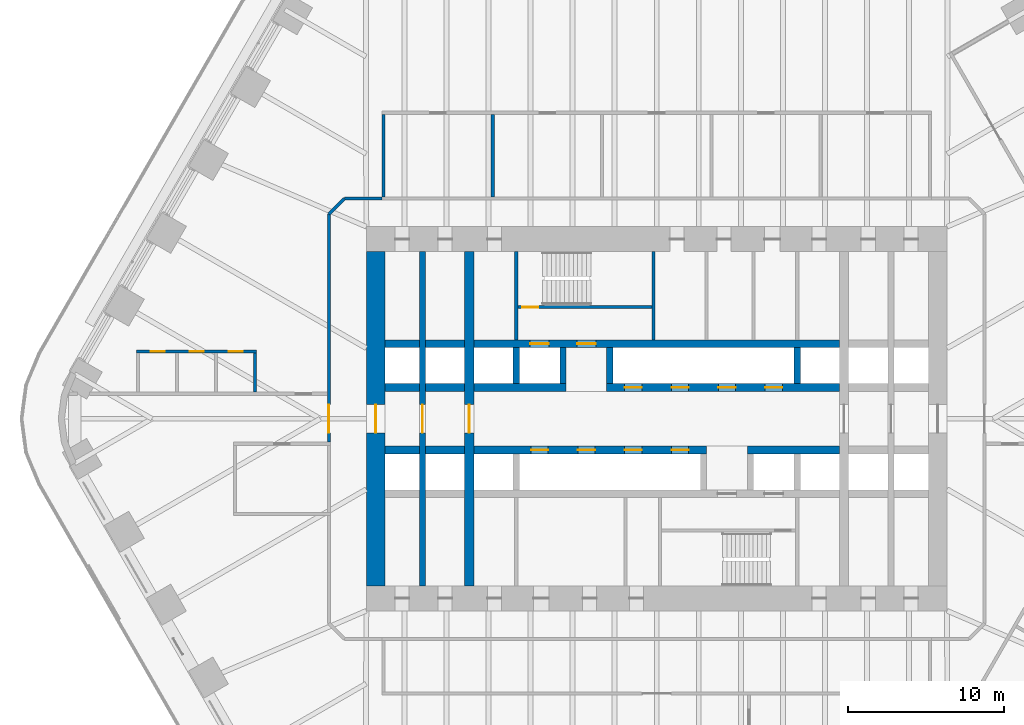
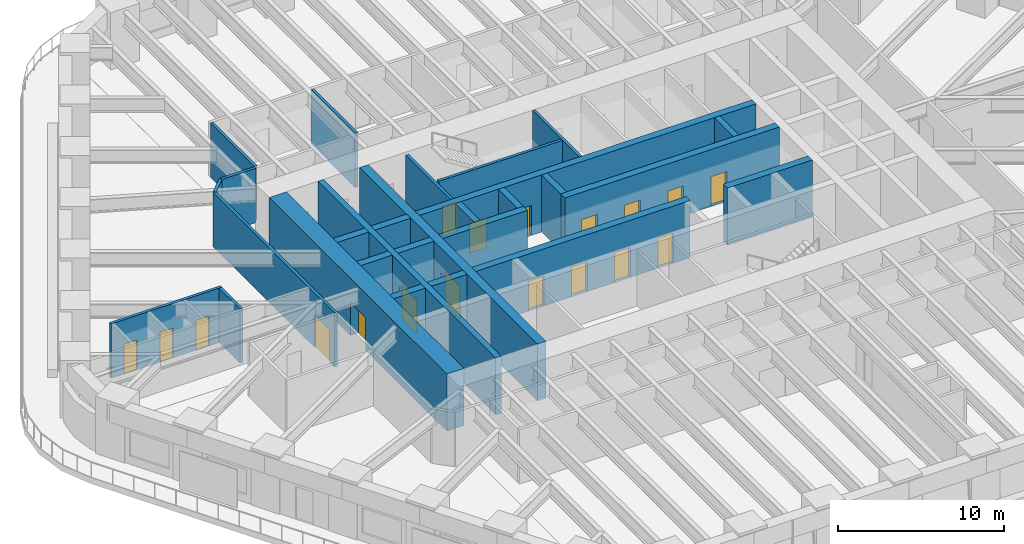
# One storey, part 18 of 23: 28 walls, 18 doors, 18 openings.
"""IFC4 building model written with IfcOpenShell, lengths in metres."""

from ifc_helpers import new_model, si_unit, direction, frame, frame_2d, origin, place, context, subcontext, project, spatial, rectangle, extrude, material, layer, layer_set, type_object, element, fill, save


model = new_model("IFC4")

# Units and contexts
model_context = context("Model", 3, precision=1e-05, world=origin(), true_north=direction((0.0, 1.0)))
body_context = subcontext(model_context, "Body", "Model", "MODEL_VIEW")
ifc_project = project(units=[si_unit("LENGTHUNIT", "METRE"), si_unit("AREAUNIT", "SQUARE_METRE"), si_unit("VOLUMEUNIT", "CUBIC_METRE"), si_unit("PLANEANGLEUNIT", "RADIAN"), si_unit("MASSUNIT", "GRAM", prefix="KILO")], contexts=[model_context])

# Site, building, storey
site_placement = place(None, origin())
site = spatial("IfcSite", under=ifc_project, at=site_placement, CompositionType="ELEMENT")
building_placement = place(site_placement, origin())
building = spatial("IfcBuilding", under=site, at=building_placement, Name="Tarfa Lantern Tower", CompositionType="ELEMENT")
storey_placement = place(building_placement, frame((0.0, 0.0, 52.89990234375)))
storey = spatial("IfcBuildingStorey", under=building, at=storey_placement, Name="L11", CompositionType="ELEMENT", Elevation=52.89990234375)

# Walls
ifc_material_1 = material(Name="Concrete blockwork", Category="masonry")
ifc_layer_1 = layer(ifc_material_1, 0.199951171875)
ifc_layer_set_1 = layer_set([ifc_layer_1], Name="IW1 BLOCKWORK PARTITION 200 EI 120")
wall_type_1 = type_object("IfcWallType", Name="IW1 BLOCKWORK PARTITION 200 EI 120", PredefinedType="PARTITIONING", material=ifc_layer_set_1)
wall_1_placement = place(storey_placement, frame((-9.0, 5.050048828125, 0.0), z_axis=(0.0, 0.0, 1.0), x_axis=(0.0, 1.0, 0.0)))
element("IfcWall", 1, at=wall_1_placement, inside=storey, type_object=wall_type_1, Name="Core partition", PredefinedType="PARTITIONING", context=body_context, shape_type="SweptSolid", body=[
    extrude(rectangle(XDim=5.64990234375, YDim=0.199951171875, at=frame_2d((2.824951171875, 0.0))), origin(), (0.0, 0.0, 1.0), 4.0),
])
ifc_material_2 = material(Name="Gypsum board on steel studs", Category="steel")
ifc_layer_2 = layer(ifc_material_2, 0.2099609375)
ifc_layer_set_2 = layer_set([ifc_layer_2], Name="IW2 ACOUSTIC PARTITION 200")
wall_type_2 = type_object("IfcWallType", Name="IW2 ACOUSTIC PARTITION 200", PredefinedType="PARTITIONING", material=ifc_layer_set_2)
for number, where, z_axis, x_axis, name in (
    (2, (-17.5, 14.199951171875, 0.0), (0.0, 0.0, 1.0), (0.0, 1.0, 0.0), "Partition"),
    (3, (-10.5, 14.199951171875, 0.0), (0.0, 0.0, 1.0), (0.0, 1.0, 0.0), "Partition"),
):
    element("IfcWall", number, at=place(storey_placement, frame(where, z_axis=z_axis, x_axis=x_axis)), inside=storey, type_object=wall_type_2, Name=name, PredefinedType="PARTITIONING", context=body_context, shape_type="SweptSolid", body=[
        extrude(rectangle(XDim=5.300048828125, YDim=0.199951171875, at=frame_2d((2.64990234375, 0.0))), origin(), (0.0, 0.0, 1.0), 4.0),
    ])
wall_2_placement = place(storey_placement, frame((-20.0, 14.10009765625, 0.0), z_axis=(0.0, 0.0, 1.0), x_axis=(1.0, 0.0, 0.0)))
element("IfcWall", 4, at=wall_2_placement, inside=storey, type_object=wall_type_2, Name="Partition", PredefinedType="PARTITIONING", context=body_context, shape_type="SweptSolid", body=[
    extrude(rectangle(XDim=2.39990234375, YDim=0.199951171875, at=frame_2d((1.199951171875, 0.0))), origin(), (0.0, 0.0, 1.0), 4.0),
])

# Wall, opening, door
wall_3_placement = place(storey_placement, frame((-21.0, -1.4990234375, 0.0), z_axis=(0.0, 0.0, 1.0), x_axis=(0.0, 1.0, 0.0)))
wall_3 = element("IfcWall", 5, at=wall_3_placement, inside=storey, type_object=wall_type_2, Name="Partition", PredefinedType="PARTITIONING", context=body_context, shape_type="SweptSolid", body=[
    extrude(rectangle(XDim=14.59912109375, YDim=0.199951171875, at=frame_2d((7.299560546875, 0.0))), origin(), (0.0, 0.0, 1.0), 4.0),
])
opening_1_placement = place(wall_3_placement, frame((0.59912109375, 0.0, 0.0)))
opening_1 = element("IfcOpeningElement", 6, at=opening_1_placement, cuts=wall_3, Name="Opening D45", PredefinedType="OPENING", context=body_context, shape_type="SweptSolid", body=[
    extrude(rectangle(XDim=1.800048828125, YDim=2.39990234375, at=frame_2d((0.89990234375, 1.199951171875))), frame((0.0, 0.10986328125, 0.0), z_axis=(0.0, -1.0, 0.0), x_axis=(1.0, 0.0, 0.0)), (0.0, 0.0, 1.0), 0.219970703125),
])
ifc_material_3 = material(Name="Timber door", Category="wood")
door_type_1 = type_object("IfcDoorType", Name="DR2 ROOM DOOR 1800x2400", OperationType="DOUBLE_DOOR_SINGLE_SWING", PredefinedType="DOOR", material=ifc_material_3)
door_1_placement = place(opening_1_placement, origin())
door_1 = element("IfcDoor", 7, at=door_1_placement, inside=storey, type_object=door_type_1, Name="Corridor door", OperationType="DOUBLE_DOOR_SINGLE_SWING", OverallHeight=2.39990234375, OverallWidth=1.800048828125, PredefinedType="DOOR", context=body_context, shape_type="SweptSolid", body=[
    extrude(rectangle(XDim=1.800048828125, YDim=2.39990234375, at=frame_2d((0.89990234375, 1.199951171875))), frame((0.0, 0.02490234375, 0.0), z_axis=(0.0, -1.0, 0.0), x_axis=(1.0, 0.0, 0.0)), (0.0, 0.0, 1.0), 0.050048828125),
])
fill(opening_1, door_1)

# Wall
wall_4_placement = place(storey_placement, frame((-21.0, 13.10009765625, 0.0), z_axis=(0.0, 0.0, 1.0), x_axis=(0.707106781187, 0.707106781187, 0.0)))
element("IfcWall", 8, at=wall_4_placement, inside=storey, type_object=wall_type_2, Name="Partition", PredefinedType="PARTITIONING", context=body_context, shape_type="SweptSolid", body=[
    extrude(rectangle(XDim=1.414306640625, YDim=0.199951171875, at=frame_2d((0.70703125, 0.0))), origin(), (0.0, 0.0, 1.0), 4.0),
])

# Wall, openings, doors
wall_5_placement = place(storey_placement, frame((-25.618408203125, 4.300048828125, 0.0), z_axis=(0.0, 0.0, 1.0), x_axis=(-1.0, 0.0, 0.0)))
wall_5 = element("IfcWall", 9, at=wall_5_placement, inside=storey, type_object=wall_type_2, Name="Partition", PredefinedType="PARTITIONING", context=body_context, shape_type="SweptSolid", body=[
    extrude(rectangle(XDim=7.699951171875, YDim=0.199951171875, at=frame_2d((3.85009765625, 0.0))), origin(), (0.0, 0.0, 1.0), 4.0),
])
opening_2_placement = place(wall_5_placement, frame((0.89990234375, 0.0, 0.0)))
opening_2 = element("IfcOpeningElement", 10, at=opening_2_placement, cuts=wall_5, Name="Opening D39", PredefinedType="OPENING", context=body_context, shape_type="SweptSolid", body=[
    extrude(rectangle(XDim=0.89990234375, YDim=2.199951171875, at=frame_2d((0.449951171875, 1.10009765625))), frame((0.0, 0.10986328125, 0.0), z_axis=(0.0, -1.0, 0.0), x_axis=(1.0, 0.0, 0.0)), (0.0, 0.0, 1.0), 0.219970703125),
])
opening_3_placement = place(wall_5_placement, frame((3.39990234375, 0.0, 0.0)))
opening_3 = element("IfcOpeningElement", 11, at=opening_3_placement, cuts=wall_5, Name="Opening D40", PredefinedType="OPENING", context=body_context, shape_type="SweptSolid", body=[
    extrude(rectangle(XDim=0.89990234375, YDim=2.199951171875, at=frame_2d((0.449951171875, 1.10009765625))), frame((0.0, 0.10986328125, 0.0), z_axis=(0.0, -1.0, 0.0), x_axis=(1.0, 0.0, 0.0)), (0.0, 0.0, 1.0), 0.219970703125),
])
opening_4_placement = place(wall_5_placement, frame((5.89990234375, 0.0, 0.0)))
opening_4 = element("IfcOpeningElement", 12, at=opening_4_placement, cuts=wall_5, Name="Opening D41", PredefinedType="OPENING", context=body_context, shape_type="SweptSolid", body=[
    extrude(rectangle(XDim=0.89990234375, YDim=2.199951171875, at=frame_2d((0.449951171875, 1.10009765625))), frame((0.0, 0.10986328125, 0.0), z_axis=(0.0, -1.0, 0.0), x_axis=(1.0, 0.0, 0.0)), (0.0, 0.0, 1.0), 0.219970703125),
])
door_type_2 = type_object("IfcDoorType", Name="DR3 ROOM DOOR 900x2200", OperationType="SINGLE_SWING_LEFT", PredefinedType="DOOR", material=ifc_material_3)
door_2_placement = place(opening_2_placement, origin())
door_2 = element("IfcDoor", 13, at=door_2_placement, inside=storey, type_object=door_type_2, Name="Focus room door", OperationType="SINGLE_SWING_RIGHT", OverallHeight=2.199951171875, OverallWidth=0.89990234375, PredefinedType="DOOR", context=body_context, shape_type="SweptSolid", body=[
    extrude(rectangle(XDim=0.89990234375, YDim=2.199951171875, at=frame_2d((0.449951171875, 1.10009765625))), frame((0.0, 0.02490234375, 0.0), z_axis=(0.0, -1.0, 0.0), x_axis=(1.0, 0.0, 0.0)), (0.0, 0.0, 1.0), 0.050048828125),
])
fill(opening_2, door_2)
door_3_placement = place(opening_3_placement, origin())
door_3 = element("IfcDoor", 14, at=door_3_placement, inside=storey, type_object=door_type_2, Name="Focus room door", OperationType="SINGLE_SWING_LEFT", OverallHeight=2.199951171875, OverallWidth=0.89990234375, PredefinedType="DOOR", context=body_context, shape_type="SweptSolid", body=[
    extrude(rectangle(XDim=0.89990234375, YDim=2.199951171875, at=frame_2d((0.449951171875, 1.10009765625))), frame((0.0, 0.02490234375, 0.0), z_axis=(0.0, -1.0, 0.0), x_axis=(1.0, 0.0, 0.0)), (0.0, 0.0, 1.0), 0.050048828125),
])
fill(opening_3, door_3)
door_4_placement = place(opening_4_placement, origin())
door_4 = element("IfcDoor", 15, at=door_4_placement, inside=storey, type_object=door_type_2, Name="Focus room door", OperationType="SINGLE_SWING_LEFT", OverallHeight=2.199951171875, OverallWidth=0.89990234375, PredefinedType="DOOR", context=body_context, shape_type="SweptSolid", body=[
    extrude(rectangle(XDim=0.89990234375, YDim=2.199951171875, at=frame_2d((0.449951171875, 1.10009765625))), frame((0.0, 0.02490234375, 0.0), z_axis=(0.0, -1.0, 0.0), x_axis=(1.0, 0.0, 0.0)), (0.0, 0.0, 1.0), 0.050048828125),
])
fill(opening_4, door_4)

# Wall
wall_6_placement = place(storey_placement, frame((-25.718505859375, 1.699951171875, 0.0), z_axis=(0.0, 0.0, 1.0), x_axis=(0.0, 1.0, 0.0)))
element("IfcWall", 16, at=wall_6_placement, inside=storey, type_object=wall_type_2, Name="Partition", PredefinedType="PARTITIONING", context=body_context, shape_type="SweptSolid", body=[
    extrude(rectangle(XDim=2.5, YDim=0.199951171875, at=frame_2d((1.25, 0.0))), origin(), (0.0, 0.0, 1.0), 4.0),
])

# Wall, opening, door
ifc_material_4 = material(Name="Concrete C80/95", Category="concrete")
ifc_layer_3 = layer(ifc_material_4, 1.199951171875)
ifc_layer_set_3 = layer_set([ifc_layer_3], Name="SW1 CORE WALL 1200")
wall_type_3 = type_object("IfcWallType", Name="SW1 CORE WALL 1200", PredefinedType="SHEAR", material=ifc_layer_set_3)
wall_7_placement = place(storey_placement, frame((-18.0, 10.699951171875, 0.0), z_axis=(0.0, 0.0, 1.0), x_axis=(0.0, -1.0, 0.0)))
wall_7 = element("IfcWall", 17, at=wall_7_placement, inside=storey, type_object=wall_type_3, Name="Core wall W", PredefinedType="SHEAR", context=body_context, shape_type="SweptSolid", body=[
    extrude(rectangle(XDim=21.39990234375, YDim=1.199951171875, at=frame_2d((10.699951171875, 0.0))), origin(), (0.0, 0.0, 1.0), 4.2001953125),
])
opening_5_placement = place(wall_7_placement, frame((9.800048828125, 0.0, 0.0)))
opening_5 = element("IfcOpeningElement", 18, at=opening_5_placement, cuts=wall_7, Name="Opening D16", PredefinedType="OPENING", context=body_context, shape_type="SweptSolid", body=[
    extrude(rectangle(XDim=1.800048828125, YDim=2.39990234375, at=frame_2d((0.89990234375, 1.199951171875))), frame((0.0, 0.60986328125, 0.0), z_axis=(0.0, -1.0, 0.0), x_axis=(1.0, 0.0, 0.0)), (0.0, 0.0, 1.0), 1.219970703125),
])
ifc_material_5 = material(Name="Steel fire door", Category="steel")
door_type_3 = type_object("IfcDoorType", Name="DL1 LOBBY DOOR 1800x2400", OperationType="DOUBLE_DOOR_SINGLE_SWING", PredefinedType="DOOR", material=ifc_material_5)
door_5_placement = place(opening_5_placement, frame((1.800048828125, 0.0, 0.0), z_axis=(0.0, 0.0, 1.0), x_axis=(-1.0, 0.0, 0.0)))
door_5 = element("IfcDoor", 19, at=door_5_placement, inside=storey, type_object=door_type_3, Name="Lift lobby door", OperationType="DOUBLE_DOOR_SINGLE_SWING", OverallHeight=2.39990234375, OverallWidth=1.800048828125, PredefinedType="DOOR", context=body_context, shape_type="SweptSolid", body=[
    extrude(rectangle(XDim=1.800048828125, YDim=2.39990234375, at=frame_2d((0.89990234375, 1.199951171875))), frame((0.0, 0.02490234375, 0.0), z_axis=(0.0, -1.0, 0.0), x_axis=(1.0, 0.0, 0.0)), (0.0, 0.0, 1.0), 0.050048828125),
])
fill(opening_5, door_5)

# Wall
ifc_layer_4 = layer(ifc_material_4, 0.199951171875)
ifc_layer_set_4 = layer_set([ifc_layer_4], Name="SW12 CORE WALL 200")
wall_type_4 = type_object("IfcWallType", Name="SW12 CORE WALL 200", PredefinedType="SHEAR", material=ifc_layer_set_4)
wall_8_placement = place(storey_placement, frame((-0.199951171875, 5.050048828125, 0.0), z_axis=(0.0, 0.0, 1.0), x_axis=(0.0, 1.0, 0.0)))
element("IfcWall", 20, at=wall_8_placement, inside=storey, type_object=wall_type_4, Name="Core wall stair shaft N", PredefinedType="SHEAR", context=body_context, shape_type="SweptSolid", body=[
    extrude(rectangle(XDim=5.64990234375, YDim=0.199951171875, at=frame_2d((2.824951171875, 0.0))), origin(), (0.0, 0.0, 1.0), 4.2001953125),
])

# Wall, opening, door
wall_9_placement = place(storey_placement, frame((-8.89990234375, 7.14990234375, 0.0), z_axis=(0.0, 0.0, 1.0), x_axis=(1.0, 0.0, 0.0)))
wall_9 = element("IfcWall", 21, at=wall_9_placement, inside=storey, type_object=wall_type_4, Name="Core wall stair partition N", PredefinedType="SHEAR", context=body_context, shape_type="SweptSolid", body=[
    extrude(rectangle(XDim=8.599853515625, YDim=0.199951171875, at=frame_2d((4.2998046875, 0.0))), origin(), (0.0, 0.0, 1.0), 4.2001953125),
])
opening_6_placement = place(wall_9_placement, frame((0.300048828125, 0.0, 0.0)))
opening_6 = element("IfcOpeningElement", 22, at=opening_6_placement, cuts=wall_9, Name="Opening D23", PredefinedType="OPENING", context=body_context, shape_type="SweptSolid", body=[
    extrude(rectangle(XDim=1.0, YDim=2.199951171875, at=frame_2d((0.5, 1.10009765625))), frame((0.0, 0.10986328125, 0.0), z_axis=(0.0, -1.0, 0.0), x_axis=(1.0, 0.0, 0.0)), (0.0, 0.0, 1.0), 0.219970703125),
])
door_type_4 = type_object("IfcDoorType", Name="DF2 STAIR DOOR 1000x2200", OperationType="SINGLE_SWING_LEFT", PredefinedType="DOOR", material=ifc_material_5)
door_6_placement = place(opening_6_placement, origin())
door_6 = element("IfcDoor", 23, at=door_6_placement, inside=storey, type_object=door_type_4, Name="Stair door", OperationType="SINGLE_SWING_RIGHT", OverallHeight=2.199951171875, OverallWidth=1.0, PredefinedType="DOOR", context=body_context, shape_type="SweptSolid", body=[
    extrude(rectangle(XDim=1.0, YDim=2.199951171875, at=frame_2d((0.5, 1.10009765625))), frame((0.0, 0.02490234375, 0.0), z_axis=(0.0, -1.0, 0.0), x_axis=(1.0, 0.0, 0.0)), (0.0, 0.0, 1.0), 0.050048828125),
])
fill(opening_6, door_6)

# Walls
ifc_layer_5 = layer(ifc_material_4, 0.5)
ifc_layer_set_5 = layer_set([ifc_layer_5], Name="SW5 CORE WALL 500")
wall_type_5 = type_object("IfcWallType", Name="SW5 CORE WALL 500", PredefinedType="SHEAR", material=ifc_layer_set_5)
wall_10_placement = place(storey_placement, frame((-17.39990234375, 2.0, 0.0), z_axis=(0.0, 0.0, 1.0), x_axis=(1.0, 0.0, 0.0)))
element("IfcWall", 24, at=wall_10_placement, inside=storey, type_object=wall_type_5, Name="Core wall lobby west N", PredefinedType="SHEAR", context=body_context, shape_type="SweptSolid", body=[
    extrude(rectangle(XDim=2.199951171875, YDim=0.5, at=frame_2d((1.10009765625, 0.0))), origin(), (0.0, 0.0, 1.0), 4.2001953125),
])
wall_11_placement = place(storey_placement, frame((-14.800048828125, 2.0, 0.0), z_axis=(0.0, 0.0, 1.0), x_axis=(1.0, 0.0, 0.0)))
element("IfcWall", 25, at=wall_11_placement, inside=storey, type_object=wall_type_5, Name="Core wall lobby west N", PredefinedType="SHEAR", context=body_context, shape_type="SweptSolid", body=[
    extrude(rectangle(XDim=2.5, YDim=0.5, at=frame_2d((1.25, 0.0))), origin(), (0.0, 0.0, 1.0), 4.2001953125),
])
wall_12_placement = place(storey_placement, frame((-11.699951171875, 2.0, 0.0), z_axis=(0.0, 0.0, 1.0), x_axis=(1.0, 0.0, 0.0)))
element("IfcWall", 26, at=wall_12_placement, inside=storey, type_object=wall_type_5, Name="Core wall lobby west N", PredefinedType="SHEAR", context=body_context, shape_type="SweptSolid", body=[
    extrude(rectangle(XDim=5.89990234375, YDim=0.5, at=frame_2d((2.949951171875, 0.0))), origin(), (0.0, 0.0, 1.0), 4.2001953125),
])

# Wall, openings, doors
wall_13_placement = place(storey_placement, frame((-3.199951171875, 2.0, 0.0), z_axis=(0.0, 0.0, 1.0), x_axis=(1.0, 0.0, 0.0)))
wall_13 = element("IfcWall", 27, at=wall_13_placement, inside=storey, type_object=wall_type_5, Name="Core wall lobby east N", PredefinedType="SHEAR", context=body_context, shape_type="SweptSolid", body=[
    extrude(rectangle(XDim=14.89990234375, YDim=0.5, at=frame_2d((7.449951171875, 0.0))), origin(), (0.0, 0.0, 1.0), 4.2001953125),
])
opening_7_placement = place(wall_13_placement, frame((1.14990234375, 0.0, 0.0)))
opening_7 = element("IfcOpeningElement", 28, at=opening_7_placement, cuts=wall_13, Name="Opening LD03", PredefinedType="OPENING", context=body_context, shape_type="SweptSolid", body=[
    extrude(rectangle(XDim=1.10009765625, YDim=2.199951171875, at=frame_2d((0.550048828125, 1.10009765625))), frame((0.0, 0.260009765625, 0.0), z_axis=(0.0, -1.0, 0.0), x_axis=(1.0, 0.0, 0.0)), (0.0, 0.0, 1.0), 0.52001953125),
])
opening_8_placement = place(wall_13_placement, frame((4.14990234375, 0.0, 0.0)))
opening_8 = element("IfcOpeningElement", 29, at=opening_8_placement, cuts=wall_13, Name="Opening LD04", PredefinedType="OPENING", context=body_context, shape_type="SweptSolid", body=[
    extrude(rectangle(XDim=1.10009765625, YDim=2.199951171875, at=frame_2d((0.550048828125, 1.10009765625))), frame((0.0, 0.260009765625, 0.0), z_axis=(0.0, -1.0, 0.0), x_axis=(1.0, 0.0, 0.0)), (0.0, 0.0, 1.0), 0.52001953125),
])
opening_9_placement = place(wall_13_placement, frame((7.14990234375, 0.0, 0.0)))
opening_9 = element("IfcOpeningElement", 30, at=opening_9_placement, cuts=wall_13, Name="Opening LD05", PredefinedType="OPENING", context=body_context, shape_type="SweptSolid", body=[
    extrude(rectangle(XDim=1.10009765625, YDim=2.199951171875, at=frame_2d((0.550048828125, 1.10009765625))), frame((0.0, 0.260009765625, 0.0), z_axis=(0.0, -1.0, 0.0), x_axis=(1.0, 0.0, 0.0)), (0.0, 0.0, 1.0), 0.52001953125),
])
opening_10_placement = place(wall_13_placement, frame((10.14990234375, 0.0, 0.0)))
opening_10 = element("IfcOpeningElement", 31, at=opening_10_placement, cuts=wall_13, Name="Opening LD06", PredefinedType="OPENING", context=body_context, shape_type="SweptSolid", body=[
    extrude(rectangle(XDim=1.10009765625, YDim=2.199951171875, at=frame_2d((0.550048828125, 1.10009765625))), frame((0.0, 0.260009765625, 0.0), z_axis=(0.0, -1.0, 0.0), x_axis=(1.0, 0.0, 0.0)), (0.0, 0.0, 1.0), 0.52001953125),
])
ifc_material_6 = material(Name="Stainless steel lift door", Category="steel")
door_type_5 = type_object("IfcDoorType", Name="LD2 LIFT LANDING DOOR 1100x2200", OperationType="SLIDING_TO_LEFT", PredefinedType="DOOR", material=ifc_material_6)
door_7_placement = place(opening_7_placement, frame((1.10009765625, 0.0, 0.0), z_axis=(0.0, 0.0, 1.0), x_axis=(-1.0, 0.0, 0.0)))
door_7 = element("IfcDoor", 32, at=door_7_placement, inside=storey, type_object=door_type_5, Name="Landing door PA1", OperationType="SLIDING_TO_LEFT", OverallHeight=2.199951171875, OverallWidth=1.10009765625, PredefinedType="DOOR", context=body_context, shape_type="SweptSolid", body=[
    extrude(rectangle(XDim=1.10009765625, YDim=2.199951171875, at=frame_2d((0.550048828125, 1.10009765625))), frame((0.0, 0.02490234375, 0.0), z_axis=(0.0, -1.0, 0.0), x_axis=(1.0, 0.0, 0.0)), (0.0, 0.0, 1.0), 0.050048828125),
])
fill(opening_7, door_7)
door_8_placement = place(opening_8_placement, frame((1.10009765625, 0.0, 0.0), z_axis=(0.0, 0.0, 1.0), x_axis=(-1.0, 0.0, 0.0)))
door_8 = element("IfcDoor", 33, at=door_8_placement, inside=storey, type_object=door_type_5, Name="Landing door PA2", OperationType="SLIDING_TO_LEFT", OverallHeight=2.199951171875, OverallWidth=1.10009765625, PredefinedType="DOOR", context=body_context, shape_type="SweptSolid", body=[
    extrude(rectangle(XDim=1.10009765625, YDim=2.199951171875, at=frame_2d((0.550048828125, 1.10009765625))), frame((0.0, 0.02490234375, 0.0), z_axis=(0.0, -1.0, 0.0), x_axis=(1.0, 0.0, 0.0)), (0.0, 0.0, 1.0), 0.050048828125),
])
fill(opening_8, door_8)
door_9_placement = place(opening_9_placement, frame((1.10009765625, 0.0, 0.0), z_axis=(0.0, 0.0, 1.0), x_axis=(-1.0, 0.0, 0.0)))
door_9 = element("IfcDoor", 34, at=door_9_placement, inside=storey, type_object=door_type_5, Name="Landing door PA3", OperationType="SLIDING_TO_LEFT", OverallHeight=2.199951171875, OverallWidth=1.10009765625, PredefinedType="DOOR", context=body_context, shape_type="SweptSolid", body=[
    extrude(rectangle(XDim=1.10009765625, YDim=2.199951171875, at=frame_2d((0.550048828125, 1.10009765625))), frame((0.0, 0.02490234375, 0.0), z_axis=(0.0, -1.0, 0.0), x_axis=(1.0, 0.0, 0.0)), (0.0, 0.0, 1.0), 0.050048828125),
])
fill(opening_9, door_9)
door_10_placement = place(opening_10_placement, frame((1.10009765625, 0.0, 0.0), z_axis=(0.0, 0.0, 1.0), x_axis=(-1.0, 0.0, 0.0)))
door_10 = element("IfcDoor", 35, at=door_10_placement, inside=storey, type_object=door_type_5, Name="Landing door PA4", OperationType="SLIDING_TO_LEFT", OverallHeight=2.199951171875, OverallWidth=1.10009765625, PredefinedType="DOOR", context=body_context, shape_type="SweptSolid", body=[
    extrude(rectangle(XDim=1.10009765625, YDim=2.199951171875, at=frame_2d((0.550048828125, 1.10009765625))), frame((0.0, 0.02490234375, 0.0), z_axis=(0.0, -1.0, 0.0), x_axis=(1.0, 0.0, 0.0)), (0.0, 0.0, 1.0), 0.050048828125),
])
fill(opening_10, door_10)

# Walls
wall_14_placement = place(storey_placement, frame((-17.39990234375, 4.800048828125, 0.0), z_axis=(0.0, 0.0, 1.0), x_axis=(1.0, 0.0, 0.0)))
element("IfcWall", 36, at=wall_14_placement, inside=storey, type_object=wall_type_5, Name="Core wall rear N", PredefinedType="SHEAR", context=body_context, shape_type="SweptSolid", body=[
    extrude(rectangle(XDim=2.199951171875, YDim=0.5, at=frame_2d((1.10009765625, 0.0))), origin(), (0.0, 0.0, 1.0), 4.2001953125),
])
wall_15_placement = place(storey_placement, frame((-14.800048828125, 4.800048828125, 0.0), z_axis=(0.0, 0.0, 1.0), x_axis=(1.0, 0.0, 0.0)))
element("IfcWall", 37, at=wall_15_placement, inside=storey, type_object=wall_type_5, Name="Core wall rear N", PredefinedType="SHEAR", context=body_context, shape_type="SweptSolid", body=[
    extrude(rectangle(XDim=2.5, YDim=0.5, at=frame_2d((1.25, 0.0))), origin(), (0.0, 0.0, 1.0), 4.2001953125),
])

# Wall, openings, doors
wall_16_placement = place(storey_placement, frame((-11.699951171875, 4.800048828125, 0.0), z_axis=(0.0, 0.0, 1.0), x_axis=(1.0, 0.0, 0.0)))
wall_16 = element("IfcWall", 38, at=wall_16_placement, inside=storey, type_object=wall_type_5, Name="Core wall rear N", PredefinedType="SHEAR", context=body_context, shape_type="SweptSolid", body=[
    extrude(rectangle(XDim=23.39990234375, YDim=0.5, at=frame_2d((11.699951171875, 0.0))), origin(), (0.0, 0.0, 1.0), 4.2001953125),
])
opening_11_placement = place(wall_16_placement, frame((6.60009765625, 0.0, 0.0)))
opening_11 = element("IfcOpeningElement", 39, at=opening_11_placement, cuts=wall_16, Name="Opening D13", PredefinedType="OPENING", context=body_context, shape_type="SweptSolid", body=[
    extrude(rectangle(XDim=1.199951171875, YDim=2.199951171875, at=frame_2d((0.60009765625, 1.10009765625))), frame((0.0, 0.260009765625, 0.0), z_axis=(0.0, -1.0, 0.0), x_axis=(1.0, 0.0, 0.0)), (0.0, 0.0, 1.0), 0.52001953125),
])
opening_12_placement = place(wall_16_placement, frame((3.60009765625, 0.0, 0.0)))
opening_12 = element("IfcOpeningElement", 40, at=opening_12_placement, cuts=wall_16, Name="Opening LD01", PredefinedType="OPENING", context=body_context, shape_type="SweptSolid", body=[
    extrude(rectangle(XDim=1.199951171875, YDim=2.199951171875, at=frame_2d((0.60009765625, 1.10009765625))), frame((0.0, 0.260009765625, 0.0), z_axis=(0.0, -1.0, 0.0), x_axis=(1.0, 0.0, 0.0)), (0.0, 0.0, 1.0), 0.52001953125),
])
door_type_6 = type_object("IfcDoorType", Name="DF1 FIREFIGHTING LOBBY DOOR 1200x2200", OperationType="SINGLE_SWING_LEFT", PredefinedType="DOOR", material=ifc_material_5)
door_11_placement = place(opening_11_placement, origin())
door_11 = element("IfcDoor", 41, at=door_11_placement, inside=storey, type_object=door_type_6, Name="Firefighting lobby door", OperationType="SINGLE_SWING_LEFT", OverallHeight=2.199951171875, OverallWidth=1.199951171875, PredefinedType="DOOR", context=body_context, shape_type="SweptSolid", body=[
    extrude(rectangle(XDim=1.199951171875, YDim=2.199951171875, at=frame_2d((0.60009765625, 1.10009765625))), frame((0.0, 0.02490234375, 0.0), z_axis=(0.0, -1.0, 0.0), x_axis=(1.0, 0.0, 0.0)), (0.0, 0.0, 1.0), 0.050048828125),
])
fill(opening_11, door_11)
door_type_7 = type_object("IfcDoorType", Name="LD1 LIFT LANDING DOOR 1200x2200", OperationType="SLIDING_TO_LEFT", PredefinedType="DOOR", material=ifc_material_6)
door_12_placement = place(opening_12_placement, origin())
door_12 = element("IfcDoor", 42, at=door_12_placement, inside=storey, type_object=door_type_7, Name="Landing door FL1", OperationType="SLIDING_TO_LEFT", OverallHeight=2.199951171875, OverallWidth=1.199951171875, PredefinedType="DOOR", context=body_context, shape_type="SweptSolid", body=[
    extrude(rectangle(XDim=1.199951171875, YDim=2.199951171875, at=frame_2d((0.60009765625, 1.10009765625))), frame((0.0, 0.02490234375, 0.0), z_axis=(0.0, -1.0, 0.0), x_axis=(1.0, 0.0, 0.0)), (0.0, 0.0, 1.0), 0.050048828125),
])
fill(opening_12, door_12)

# Wall
wall_17_placement = place(storey_placement, frame((11.699951171875, -2.0, 0.0), z_axis=(0.0, 0.0, 1.0), x_axis=(-1.0, 0.0, 0.0)))
element("IfcWall", 43, at=wall_17_placement, inside=storey, type_object=wall_type_5, Name="Core wall lobby west S", PredefinedType="SHEAR", context=body_context, shape_type="SweptSolid", body=[
    extrude(rectangle(XDim=5.89990234375, YDim=0.5, at=frame_2d((2.949951171875, 0.0))), origin(), (0.0, 0.0, 1.0), 4.2001953125),
])

# Wall, openings, doors
wall_18_placement = place(storey_placement, frame((3.199951171875, -2.0, 0.0), z_axis=(0.0, 0.0, 1.0), x_axis=(-1.0, 0.0, 0.0)))
wall_18 = element("IfcWall", 44, at=wall_18_placement, inside=storey, type_object=wall_type_5, Name="Core wall lobby east S", PredefinedType="SHEAR", context=body_context, shape_type="SweptSolid", body=[
    extrude(rectangle(XDim=14.89990234375, YDim=0.5, at=frame_2d((7.449951171875, 0.0))), origin(), (0.0, 0.0, 1.0), 4.2001953125),
])
opening_13_placement = place(wall_18_placement, frame((1.14990234375, 0.0, 0.0)))
opening_13 = element("IfcOpeningElement", 45, at=opening_13_placement, cuts=wall_18, Name="Opening LD07", PredefinedType="OPENING", context=body_context, shape_type="SweptSolid", body=[
    extrude(rectangle(XDim=1.10009765625, YDim=2.199951171875, at=frame_2d((0.550048828125, 1.10009765625))), frame((0.0, 0.260009765625, 0.0), z_axis=(0.0, -1.0, 0.0), x_axis=(1.0, 0.0, 0.0)), (0.0, 0.0, 1.0), 0.52001953125),
])
opening_14_placement = place(wall_18_placement, frame((4.14990234375, 0.0, 0.0)))
opening_14 = element("IfcOpeningElement", 46, at=opening_14_placement, cuts=wall_18, Name="Opening LD08", PredefinedType="OPENING", context=body_context, shape_type="SweptSolid", body=[
    extrude(rectangle(XDim=1.10009765625, YDim=2.199951171875, at=frame_2d((0.550048828125, 1.10009765625))), frame((0.0, 0.260009765625, 0.0), z_axis=(0.0, -1.0, 0.0), x_axis=(1.0, 0.0, 0.0)), (0.0, 0.0, 1.0), 0.52001953125),
])
opening_15_placement = place(wall_18_placement, frame((7.14990234375, 0.0, 0.0)))
opening_15 = element("IfcOpeningElement", 47, at=opening_15_placement, cuts=wall_18, Name="Opening LD09", PredefinedType="OPENING", context=body_context, shape_type="SweptSolid", body=[
    extrude(rectangle(XDim=1.10009765625, YDim=2.199951171875, at=frame_2d((0.550048828125, 1.10009765625))), frame((0.0, 0.260009765625, 0.0), z_axis=(0.0, -1.0, 0.0), x_axis=(1.0, 0.0, 0.0)), (0.0, 0.0, 1.0), 0.52001953125),
])
opening_16_placement = place(wall_18_placement, frame((10.14990234375, 0.0, 0.0)))
opening_16 = element("IfcOpeningElement", 48, at=opening_16_placement, cuts=wall_18, Name="Opening LD10", PredefinedType="OPENING", context=body_context, shape_type="SweptSolid", body=[
    extrude(rectangle(XDim=1.10009765625, YDim=2.199951171875, at=frame_2d((0.550048828125, 1.10009765625))), frame((0.0, 0.260009765625, 0.0), z_axis=(0.0, -1.0, 0.0), x_axis=(1.0, 0.0, 0.0)), (0.0, 0.0, 1.0), 0.52001953125),
])
door_13_placement = place(opening_13_placement, frame((1.10009765625, 0.0, 0.0), z_axis=(0.0, 0.0, 1.0), x_axis=(-1.0, 0.0, 0.0)))
door_13 = element("IfcDoor", 49, at=door_13_placement, inside=storey, type_object=door_type_5, Name="Landing door PA5", OperationType="SLIDING_TO_LEFT", OverallHeight=2.199951171875, OverallWidth=1.10009765625, PredefinedType="DOOR", context=body_context, shape_type="SweptSolid", body=[
    extrude(rectangle(XDim=1.10009765625, YDim=2.199951171875, at=frame_2d((0.550048828125, 1.10009765625))), frame((0.0, 0.02490234375, 0.0), z_axis=(0.0, -1.0, 0.0), x_axis=(1.0, 0.0, 0.0)), (0.0, 0.0, 1.0), 0.050048828125),
])
fill(opening_13, door_13)
door_14_placement = place(opening_14_placement, frame((1.10009765625, 0.0, 0.0), z_axis=(0.0, 0.0, 1.0), x_axis=(-1.0, 0.0, 0.0)))
door_14 = element("IfcDoor", 50, at=door_14_placement, inside=storey, type_object=door_type_5, Name="Landing door PA6", OperationType="SLIDING_TO_LEFT", OverallHeight=2.199951171875, OverallWidth=1.10009765625, PredefinedType="DOOR", context=body_context, shape_type="SweptSolid", body=[
    extrude(rectangle(XDim=1.10009765625, YDim=2.199951171875, at=frame_2d((0.550048828125, 1.10009765625))), frame((0.0, 0.02490234375, 0.0), z_axis=(0.0, -1.0, 0.0), x_axis=(1.0, 0.0, 0.0)), (0.0, 0.0, 1.0), 0.050048828125),
])
fill(opening_14, door_14)
door_15_placement = place(opening_15_placement, frame((1.10009765625, 0.0, 0.0), z_axis=(0.0, 0.0, 1.0), x_axis=(-1.0, 0.0, 0.0)))
door_15 = element("IfcDoor", 51, at=door_15_placement, inside=storey, type_object=door_type_5, Name="Landing door PA7", OperationType="SLIDING_TO_LEFT", OverallHeight=2.199951171875, OverallWidth=1.10009765625, PredefinedType="DOOR", context=body_context, shape_type="SweptSolid", body=[
    extrude(rectangle(XDim=1.10009765625, YDim=2.199951171875, at=frame_2d((0.550048828125, 1.10009765625))), frame((0.0, 0.02490234375, 0.0), z_axis=(0.0, -1.0, 0.0), x_axis=(1.0, 0.0, 0.0)), (0.0, 0.0, 1.0), 0.050048828125),
])
fill(opening_15, door_15)
door_16_placement = place(opening_16_placement, frame((1.10009765625, 0.0, 0.0), z_axis=(0.0, 0.0, 1.0), x_axis=(-1.0, 0.0, 0.0)))
door_16 = element("IfcDoor", 52, at=door_16_placement, inside=storey, type_object=door_type_5, Name="Landing door PA8", OperationType="SLIDING_TO_LEFT", OverallHeight=2.199951171875, OverallWidth=1.10009765625, PredefinedType="DOOR", context=body_context, shape_type="SweptSolid", body=[
    extrude(rectangle(XDim=1.10009765625, YDim=2.199951171875, at=frame_2d((0.550048828125, 1.10009765625))), frame((0.0, 0.02490234375, 0.0), z_axis=(0.0, -1.0, 0.0), x_axis=(1.0, 0.0, 0.0)), (0.0, 0.0, 1.0), 0.050048828125),
])
fill(opening_16, door_16)

# Walls
wall_19_placement = place(storey_placement, frame((-12.300048828125, -2.0, 0.0), z_axis=(0.0, 0.0, 1.0), x_axis=(-1.0, 0.0, 0.0)))
element("IfcWall", 53, at=wall_19_placement, inside=storey, type_object=wall_type_5, Name="Core wall lobby east S", PredefinedType="SHEAR", context=body_context, shape_type="SweptSolid", body=[
    extrude(rectangle(XDim=2.5, YDim=0.5, at=frame_2d((1.25, 0.0))), origin(), (0.0, 0.0, 1.0), 4.2001953125),
])
wall_20_placement = place(storey_placement, frame((-15.199951171875, -2.0, 0.0), z_axis=(0.0, 0.0, 1.0), x_axis=(-1.0, 0.0, 0.0)))
element("IfcWall", 54, at=wall_20_placement, inside=storey, type_object=wall_type_5, Name="Core wall lobby east S", PredefinedType="SHEAR", context=body_context, shape_type="SweptSolid", body=[
    extrude(rectangle(XDim=2.199951171875, YDim=0.5, at=frame_2d((1.10009765625, 0.0))), origin(), (0.0, 0.0, 1.0), 4.2001953125),
])

# Wall, opening, door
ifc_layer_6 = layer(ifc_material_4, 0.39990234375)
ifc_layer_set_6 = layer_set([ifc_layer_6], Name="SW6 CORE WALL 400")
wall_type_6 = type_object("IfcWallType", Name="SW6 CORE WALL 400", PredefinedType="SHEAR", material=ifc_layer_set_6)
wall_21_placement = place(storey_placement, frame((-15.0, -10.699951171875, 0.0), z_axis=(0.0, 0.0, 1.0), x_axis=(0.0, 1.0, 0.0)))
wall_21 = element("IfcWall", 55, at=wall_21_placement, inside=storey, type_object=wall_type_6, Name="Core wall cross 15 m west", PredefinedType="SHEAR", context=body_context, shape_type="SweptSolid", body=[
    extrude(rectangle(XDim=21.39990234375, YDim=0.39990234375, at=frame_2d((10.699951171875, 0.0))), origin(), (0.0, 0.0, 1.0), 4.2001953125),
])
opening_17_placement = place(wall_21_placement, frame((9.800048828125, 0.0, 0.0)))
opening_17 = element("IfcOpeningElement", 56, at=opening_17_placement, cuts=wall_21, Name="Opening D28", PredefinedType="OPENING", context=body_context, shape_type="SweptSolid", body=[
    extrude(rectangle(XDim=1.800048828125, YDim=2.39990234375, at=frame_2d((0.89990234375, 1.199951171875))), frame((0.0, 0.2099609375, 0.0), z_axis=(0.0, -1.0, 0.0), x_axis=(1.0, 0.0, 0.0)), (0.0, 0.0, 1.0), 0.419921875),
])
door_17_placement = place(opening_17_placement, origin())
door_17 = element("IfcDoor", 57, at=door_17_placement, inside=storey, type_object=door_type_3, Name="Lift lobby door", OperationType="DOUBLE_DOOR_SINGLE_SWING", OverallHeight=2.39990234375, OverallWidth=1.800048828125, PredefinedType="DOOR", context=body_context, shape_type="SweptSolid", body=[
    extrude(rectangle(XDim=1.800048828125, YDim=2.39990234375, at=frame_2d((0.89990234375, 1.199951171875))), frame((0.0, 0.02490234375, 0.0), z_axis=(0.0, -1.0, 0.0), x_axis=(1.0, 0.0, 0.0)), (0.0, 0.0, 1.0), 0.050048828125),
])
fill(opening_17, door_17)

# Walls
for number, where, z_axis, x_axis, name in (
    (58, (-9.0, 2.25, 0.0), (0.0, 0.0, 1.0), (0.0, 1.0, 0.0), "Core wall divider N"),
    (59, (-6.0, 2.25, 0.0), (0.0, 0.0, 1.0), (0.0, 1.0, 0.0), "Core wall divider N"),
    (60, (-3.0, 2.25, 0.0), (0.0, 0.0, 1.0), (0.0, 1.0, 0.0), "Core wall divider N"),
    (61, (9.0, 2.25, 0.0), (0.0, 0.0, 1.0), (0.0, 1.0, 0.0), "Core wall divider N"),
):
    element("IfcWall", number, at=place(storey_placement, frame(where, z_axis=z_axis, x_axis=x_axis)), inside=storey, type_object=wall_type_6, Name=name, PredefinedType="SHEAR", context=body_context, shape_type="SweptSolid", body=[
        extrude(rectangle(XDim=2.300048828125, YDim=0.39990234375, at=frame_2d((1.14990234375, 0.0))), origin(), (0.0, 0.0, 1.0), 4.2001953125),
    ])

# Wall, opening, door
ifc_layer_7 = layer(ifc_material_4, 0.60009765625)
ifc_layer_set_7 = layer_set([ifc_layer_7], Name="SW9 CORE WALL 600")
wall_type_7 = type_object("IfcWallType", Name="SW9 CORE WALL 600", PredefinedType="SHEAR", material=ifc_layer_set_7)
wall_22_placement = place(storey_placement, frame((-12.0, -10.699951171875, 0.0), z_axis=(0.0, 0.0, 1.0), x_axis=(0.0, 1.0, 0.0)))
wall_22 = element("IfcWall", 62, at=wall_22_placement, inside=storey, type_object=wall_type_7, Name="Core wall cross 12 m west", PredefinedType="SHEAR", context=body_context, shape_type="SweptSolid", body=[
    extrude(rectangle(XDim=21.39990234375, YDim=0.60009765625, at=frame_2d((10.699951171875, 0.0))), origin(), (0.0, 0.0, 1.0), 4.2001953125),
])
opening_18_placement = place(wall_22_placement, frame((9.800048828125, 0.0, 0.0)))
opening_18 = element("IfcOpeningElement", 63, at=opening_18_placement, cuts=wall_22, Name="Opening D27", PredefinedType="OPENING", context=body_context, shape_type="SweptSolid", body=[
    extrude(rectangle(XDim=1.800048828125, YDim=2.39990234375, at=frame_2d((0.89990234375, 1.199951171875))), frame((0.0, 0.31005859375, 0.0), z_axis=(0.0, -1.0, 0.0), x_axis=(1.0, 0.0, 0.0)), (0.0, 0.0, 1.0), 0.6201171875),
])
door_18_placement = place(opening_18_placement, origin())
door_18 = element("IfcDoor", 64, at=door_18_placement, inside=storey, type_object=door_type_3, Name="Lift lobby door", OperationType="DOUBLE_DOOR_SINGLE_SWING", OverallHeight=2.39990234375, OverallWidth=1.800048828125, PredefinedType="DOOR", context=body_context, shape_type="SweptSolid", body=[
    extrude(rectangle(XDim=1.800048828125, YDim=2.39990234375, at=frame_2d((0.89990234375, 1.199951171875))), frame((0.0, 0.02490234375, 0.0), z_axis=(0.0, -1.0, 0.0), x_axis=(1.0, 0.0, 0.0)), (0.0, 0.0, 1.0), 0.050048828125),
])
fill(opening_18, door_18)

save(model, "model.ifc")
